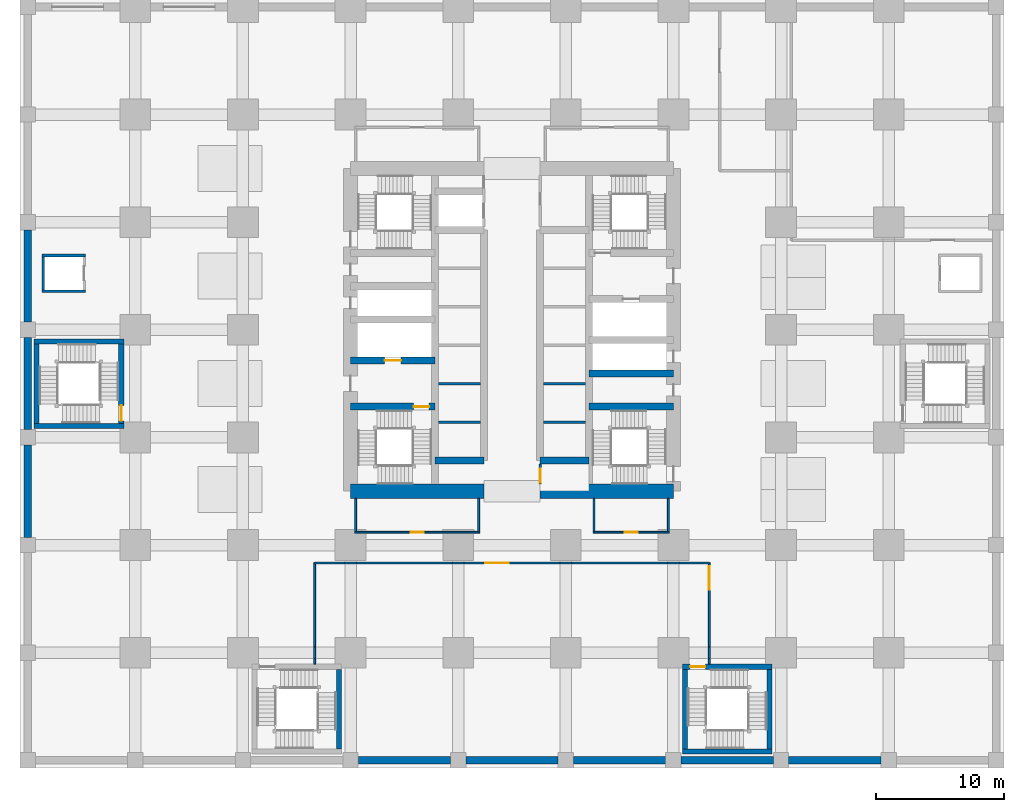
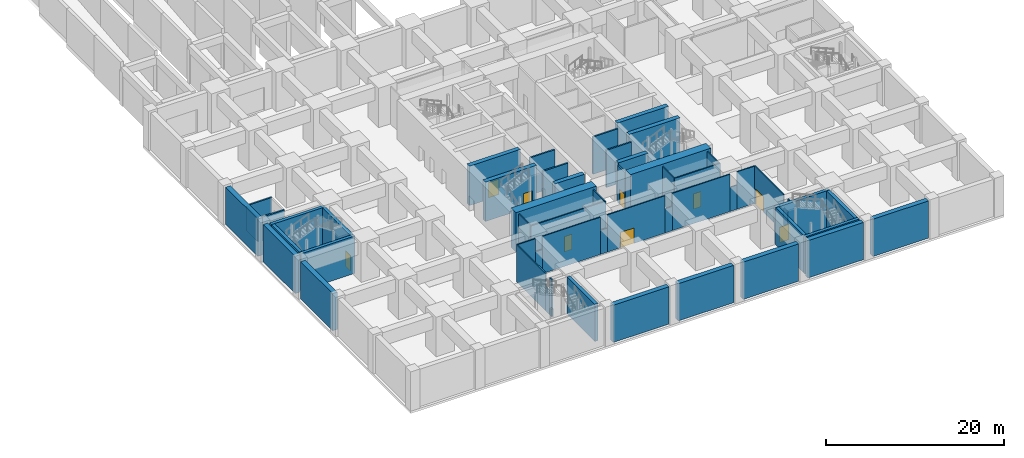
# One storey, part 6 of 20: 54 walls, 9 doors, 9 openings.
"""IFC4 building model written with IfcOpenShell, lengths in metres."""

from ifc_helpers import new_model, si_unit, direction, frame, frame_2d, origin, place, context, subcontext, project, spatial, rectangle, extrude, material, layer, layer_set, type_object, element, fill, save


model = new_model("IFC4")

# Units and contexts
model_context = context("Model", 3, precision=1e-05, world=origin(), true_north=direction((0.0, 1.0)))
body_context = subcontext(model_context, "Body", "Model", "MODEL_VIEW")
ifc_project = project(units=[si_unit("LENGTHUNIT", "METRE"), si_unit("AREAUNIT", "SQUARE_METRE"), si_unit("VOLUMEUNIT", "CUBIC_METRE"), si_unit("PLANEANGLEUNIT", "RADIAN"), si_unit("MASSUNIT", "GRAM", prefix="KILO")], contexts=[model_context])

# Site, building, storey
site_placement = place(None, origin())
site = spatial("IfcSite", under=ifc_project, at=site_placement, CompositionType="ELEMENT")
building_placement = place(site_placement, origin())
building = spatial("IfcBuilding", under=site, at=building_placement, Name="Rekha Terrace Tower", CompositionType="ELEMENT")
storey_placement = place(building_placement, frame((0.0, 0.0, -5.39990234375)))
storey = spatial("IfcBuildingStorey", under=building, at=storey_placement, Name="B-01", CompositionType="ELEMENT", Elevation=-5.39990234375)

# Walls
ifc_material_1 = material(Name="Concrete M70", Category="concrete")
ifc_layer_1 = layer(ifc_material_1, 0.550048828125)
ifc_layer_set_1 = layer_set([ifc_layer_1], Name="Concrete M70")
wall_type_1 = type_object("IfcWallType", Name="CI1 550 core internal shear wall", PredefinedType="SHEAR", material=ifc_layer_set_1)
for number, where, z_axis, x_axis, name in (
    (1, (31.800048828125, 23.39990234375, 0.0), (0.0, 0.0, 1.0), (1.0, 0.0, 0.0), "Core wall Y234W B-01"),
    (2, (40.0, 23.39990234375, 0.0), (0.0, 0.0, 1.0), (1.0, 0.0, 0.0), "Core wall Y234E B-01"),
):
    element("IfcWall", number, at=place(storey_placement, frame(where, z_axis=z_axis, x_axis=x_axis)), inside=storey, type_object=wall_type_1, Name=name, PredefinedType="SHEAR", context=body_context, shape_type="SweptSolid", body=[
        extrude(rectangle(XDim=3.800048828125, YDim=0.550048828125, at=frame_2d((1.89990234375, 0.0))), origin(), (0.0, 0.0, 1.0), 5.39990234375),
    ])

# Wall, opening, door
wall_1_placement = place(storey_placement, frame((25.199951171875, 27.60009765625, 0.0), z_axis=(0.0, 0.0, 1.0), x_axis=(1.0, 0.0, 0.0)))
wall_1 = element("IfcWall", 3, at=wall_1_placement, inside=storey, type_object=wall_type_1, Name="Core wall Y276W B-01", PredefinedType="SHEAR", context=body_context, shape_type="SweptSolid", body=[
    extrude(rectangle(XDim=6.60009765625, YDim=0.550048828125, at=frame_2d((3.300048828125, 0.0))), origin(), (0.0, 0.0, 1.0), 5.39990234375),
])
opening_1_placement = place(wall_1_placement, frame((4.925048828125, 0.0, 0.0)))
opening_1 = element("IfcOpeningElement", 4, at=opening_1_placement, cuts=wall_1, Name="Opening D1", PredefinedType="OPENING", context=body_context, shape_type="SweptSolid", body=[
    extrude(rectangle(XDim=1.199951171875, YDim=2.10009765625, at=frame_2d((0.60009765625, 1.050048828125))), frame((0.0, 0.284912109375, 0.0), z_axis=(0.0, -1.0, 0.0), x_axis=(1.0, 0.0, 0.0)), (0.0, 0.0, 1.0), 0.570068359375),
])
ifc_material_2 = material(Name="Steel fire door", Category="steel")
door_type_1 = type_object("IfcDoorType", Name="D1 1200x2100 stair fire door", OperationType="SINGLE_SWING_RIGHT", PredefinedType="DOOR", material=ifc_material_2)
door_1_placement = place(opening_1_placement, origin())
door_1 = element("IfcDoor", 5, at=door_1_placement, inside=storey, type_object=door_type_1, Name="Stair ST1 door B-01", OperationType="SINGLE_SWING_RIGHT", OverallHeight=2.10009765625, OverallWidth=1.199951171875, PredefinedType="DOOR", context=body_context, shape_type="SweptSolid", body=[
    extrude(rectangle(XDim=1.199951171875, YDim=2.10009765625, at=frame_2d((0.60009765625, 1.050048828125))), frame((0.0, 0.02490234375, 0.0), z_axis=(0.0, -1.0, 0.0), x_axis=(1.0, 0.0, 0.0)), (0.0, 0.0, 1.0), 0.050048828125),
])
fill(opening_1, door_1)

wall_2_placement = place(storey_placement, frame((25.199951171875, 31.199951171875, 0.0), z_axis=(0.0, 0.0, 1.0), x_axis=(1.0, 0.0, 0.0)))
wall_2 = element("IfcWall", 6, at=wall_2_placement, inside=storey, type_object=wall_type_1, Name="Core wall Y312W B-01", PredefinedType="SHEAR", context=body_context, shape_type="SweptSolid", body=[
    extrude(rectangle(XDim=6.60009765625, YDim=0.550048828125, at=frame_2d((3.300048828125, 0.0))), origin(), (0.0, 0.0, 1.0), 5.39990234375),
])
opening_2_placement = place(wall_2_placement, frame((2.64990234375, 0.0, 0.0)))
opening_2 = element("IfcOpeningElement", 7, at=opening_2_placement, cuts=wall_2, Name="Opening LD2", PredefinedType="OPENING", context=body_context, shape_type="SweptSolid", body=[
    extrude(rectangle(XDim=1.300048828125, YDim=2.10009765625, at=frame_2d((0.64990234375, 1.050048828125))), frame((0.0, 0.284912109375, 0.0), z_axis=(0.0, -1.0, 0.0), x_axis=(1.0, 0.0, 0.0)), (0.0, 0.0, 1.0), 0.570068359375),
])
ifc_material_3 = material(Name="Stainless steel sliding landing door", Category="steel")
door_type_2 = type_object("IfcDoorType", Name="LD2 1300x2100 fire lift landing door", OperationType="SLIDING_TO_LEFT", PredefinedType="USERDEFINED", material=ifc_material_3)
door_2_placement = place(opening_2_placement, origin())
door_2 = element("IfcDoor", 8, at=door_2_placement, inside=storey, type_object=door_type_2, Name="Lift FL1 landing door B-01", ObjectType="LIFT LANDING DOOR", OperationType="SLIDING_TO_LEFT", OverallHeight=2.10009765625, OverallWidth=1.300048828125, PredefinedType="USERDEFINED", context=body_context, shape_type="SweptSolid", body=[
    extrude(rectangle(XDim=1.300048828125, YDim=2.10009765625, at=frame_2d((0.64990234375, 1.050048828125))), frame((0.0, 0.02490234375, 0.0), z_axis=(0.0, -1.0, 0.0), x_axis=(1.0, 0.0, 0.0)), (0.0, 0.0, 1.0), 0.050048828125),
])
fill(opening_2, door_2)

# Walls
for number, where, z_axis, x_axis, name in (
    (9, (43.800048828125, 27.60009765625, 0.0), (0.0, 0.0, 1.0), (1.0, 0.0, 0.0), "Core wall Y276E B-01"),
    (10, (43.800048828125, 30.199951171875, 0.0), (0.0, 0.0, 1.0), (1.0, 0.0, 0.0), "Core wall Y302E B-01"),
):
    element("IfcWall", number, at=place(storey_placement, frame(where, z_axis=z_axis, x_axis=x_axis)), inside=storey, type_object=wall_type_1, Name=name, PredefinedType="SHEAR", context=body_context, shape_type="SweptSolid", body=[
        extrude(rectangle(XDim=6.599853515625, YDim=0.550048828125, at=frame_2d((3.2998046875, 0.0))), origin(), (0.0, 0.0, 1.0), 5.39990234375),
    ])
ifc_material_4 = material(Name="Concrete M40", Category="concrete")
ifc_layer_2 = layer(ifc_material_4, 0.60009765625)
ifc_layer_set_2 = layer_set([ifc_layer_2], Name="Concrete M40")
wall_type_2 = type_object("IfcWallType", Name="RW1 600 basement retaining wall", PredefinedType="SOLIDWALL", material=ifc_layer_set_2)
for number, where, z_axis, x_axis, name in (
    (11, (25.800048828125, 0.0, 0.0), (0.0, 0.0, 1.0), (1.0, 0.0, 0.0), "Basement retaining wall RW1 4A-5A B-01"),
    (12, (34.199951171875, 0.0, 0.0), (0.0, 0.0, 1.0), (1.0, 0.0, 0.0), "Basement retaining wall RW1 5A-6A B-01"),
    (13, (42.60009765625, 0.0, 0.0), (0.0, 0.0, 1.0), (1.0, 0.0, 0.0), "Basement retaining wall RW1 6A-7A B-01"),
    (14, (51.0, 0.0, 0.0), (0.0, 0.0, 1.0), (1.0, 0.0, 0.0), "Basement retaining wall RW1 7A-8A B-01"),
):
    element("IfcWall", number, at=place(storey_placement, frame(where, z_axis=z_axis, x_axis=x_axis)), inside=storey, type_object=wall_type_2, Name=name, PredefinedType="SOLIDWALL", context=body_context, shape_type="SweptSolid", body=[
        extrude(rectangle(XDim=7.199951171875, YDim=0.60009765625, at=frame_2d((3.60009765625, 0.0))), origin(), (0.0, 0.0, 1.0), 5.099853515625),
    ])
for number, where, z_axis, x_axis, name in (
    (15, (59.39990234375, 0.0, 0.0), (0.0, 0.0, 1.0), (1.0, 0.0, 0.0), "Basement retaining wall RW1 8A-9A B-01"),
    (16, (0.0, 17.39990234375, 0.0), (0.0, 0.0, 1.0), (0.0, 1.0, 0.0), "Basement retaining wall RW1 1C-1D B-01"),
):
    element("IfcWall", number, at=place(storey_placement, frame(where, z_axis=z_axis, x_axis=x_axis)), inside=storey, type_object=wall_type_2, Name=name, PredefinedType="SOLIDWALL", context=body_context, shape_type="SweptSolid", body=[
        extrude(rectangle(XDim=7.2001953125, YDim=0.60009765625, at=frame_2d((3.60009765625, 0.0))), origin(), (0.0, 0.0, 1.0), 5.099853515625),
    ])
for number, where, z_axis, x_axis, name in (
    (17, (0.0, 25.800048828125, 0.0), (0.0, 0.0, 1.0), (0.0, 1.0, 0.0), "Basement retaining wall RW1 1D-1E B-01"),
    (18, (0.0, 34.199951171875, 0.0), (0.0, 0.0, 1.0), (0.0, 1.0, 0.0), "Basement retaining wall RW1 1E-1F B-01"),
):
    element("IfcWall", number, at=place(storey_placement, frame(where, z_axis=z_axis, x_axis=x_axis)), inside=storey, type_object=wall_type_2, Name=name, PredefinedType="SOLIDWALL", context=body_context, shape_type="SweptSolid", body=[
        extrude(rectangle(XDim=7.199951171875, YDim=0.60009765625, at=frame_2d((3.60009765625, 0.0))), origin(), (0.0, 0.0, 1.0), 5.099853515625),
    ])
ifc_layer_3 = layer(ifc_material_1, 1.10009765625)
ifc_layer_set_3 = layer_set([ifc_layer_3], Name="Concrete M70")
wall_type_3 = type_object("IfcWallType", Name="SW1 1100 core outer shear wall", PredefinedType="SHEAR", material=ifc_layer_set_3)
wall_3_placement = place(storey_placement, frame((25.199951171875, 21.0, 0.0), z_axis=(0.0, 0.0, 1.0), x_axis=(1.0, 0.0, 0.0)))
element("IfcWall", 19, at=wall_3_placement, inside=storey, type_object=wall_type_3, Name="Core wall S1 B-01", PredefinedType="SHEAR", context=body_context, shape_type="SweptSolid", body=[
    extrude(rectangle(XDim=10.400146484375, YDim=1.10009765625, at=frame_2d((5.2001953125, 0.0))), origin(), (0.0, 0.0, 1.0), 5.39990234375),
])
wall_4_placement = place(storey_placement, frame((40.0, 21.0, 0.0), z_axis=(0.0, 0.0, 1.0), x_axis=(1.0, 0.0, 0.0)))
element("IfcWall", 20, at=wall_4_placement, inside=storey, type_object=wall_type_3, Name="Core wall S2 B-01", PredefinedType="SHEAR", context=body_context, shape_type="SweptSolid", body=[
    extrude(rectangle(XDim=10.39990234375, YDim=1.10009765625, at=frame_2d((5.199951171875, 0.0))), origin(), (0.0, 0.0, 1.0), 5.39990234375),
])

# Wall, opening, door
ifc_material_5 = material(Name="Concrete block masonry, 1 hour", Category="masonry")
ifc_layer_4 = layer(ifc_material_5, 0.14990234375)
ifc_layer_set_4 = layer_set([ifc_layer_4], Name="Concrete block masonry, 1 hour")
wall_type_4 = type_object("IfcWallType", Name="WP2 150 tenancy partition", PredefinedType="PARTITIONING", material=ifc_layer_set_4)
wall_5_placement = place(storey_placement, frame((25.52490234375, 17.800048828125, 0.0), z_axis=(0.0, 0.0, 1.0), x_axis=(1.0, 0.0, 0.0)))
wall_5 = element("IfcWall", 21, at=wall_5_placement, inside=storey, type_object=wall_type_4, Name="Men's WC wall B-01", PredefinedType="PARTITIONING", context=body_context, shape_type="SweptSolid", body=[
    extrude(rectangle(XDim=9.75, YDim=0.14990234375, at=frame_2d((4.875, 0.0))), origin(), (0.0, 0.0, 1.0), 5.099853515625),
])
opening_3_placement = place(wall_5_placement, frame((4.375, 0.0, 0.0)))
opening_3 = element("IfcOpeningElement", 22, at=opening_3_placement, cuts=wall_5, Name="Opening D3", PredefinedType="OPENING", context=body_context, shape_type="SweptSolid", body=[
    extrude(rectangle(XDim=1.0, YDim=2.10009765625, at=frame_2d((0.5, 1.050048828125))), frame((0.0, 0.0849609375, 0.0), z_axis=(0.0, -1.0, 0.0), x_axis=(1.0, 0.0, 0.0)), (0.0, 0.0, 1.0), 0.169921875),
])
ifc_material_6 = material(Name="Laminated timber fire door", Category="wood")
door_type_3 = type_object("IfcDoorType", Name="D3 1000x2100 WC door", OperationType="SINGLE_SWING_LEFT", PredefinedType="DOOR", material=ifc_material_6)
door_3_placement = place(opening_3_placement, origin())
door_3 = element("IfcDoor", 23, at=door_3_placement, inside=storey, type_object=door_type_3, Name="Door men's wc B-01", OperationType="SINGLE_SWING_LEFT", OverallHeight=2.10009765625, OverallWidth=1.0, PredefinedType="DOOR", context=body_context, shape_type="SweptSolid", body=[
    extrude(rectangle(XDim=1.0, YDim=2.10009765625, at=frame_2d((0.5, 1.050048828125))), frame((0.0, 0.02490234375, 0.0), z_axis=(0.0, -1.0, 0.0), x_axis=(1.0, 0.0, 0.0)), (0.0, 0.0, 1.0), 0.050048828125),
])
fill(opening_3, door_3)

# Walls
for number, where, z_axis, x_axis, name in (
    (24, (25.60009765625, 17.875, 0.0), (0.0, 0.0, 1.0), (0.0, 1.0, 0.0), "Men's WC wall B-01"),
    (25, (35.199951171875, 17.875, 0.0), (0.0, 0.0, 1.0), (0.0, 1.0, 0.0), "Men's WC wall B-01"),
):
    element("IfcWall", number, at=place(storey_placement, frame(where, z_axis=z_axis, x_axis=x_axis)), inside=storey, type_object=wall_type_4, Name=name, PredefinedType="PARTITIONING", context=body_context, shape_type="SweptSolid", body=[
        extrude(rectangle(XDim=2.574951171875, YDim=0.14990234375, at=frame_2d((1.28759765625, 0.0))), origin(), (0.0, 0.0, 1.0), 5.099853515625),
    ])

# Wall, opening, door
wall_6_placement = place(storey_placement, frame((44.125, 17.800048828125, 0.0), z_axis=(0.0, 0.0, 1.0), x_axis=(1.0, 0.0, 0.0)))
wall_6 = element("IfcWall", 26, at=wall_6_placement, inside=storey, type_object=wall_type_4, Name="Men's WC wall B-01", PredefinedType="PARTITIONING", context=body_context, shape_type="SweptSolid", body=[
    extrude(rectangle(XDim=5.949951171875, YDim=0.14990234375, at=frame_2d((2.97509765625, 0.0))), origin(), (0.0, 0.0, 1.0), 5.099853515625),
])
opening_4_placement = place(wall_6_placement, frame((2.47509765625, 0.0, 0.0)))
opening_4 = element("IfcOpeningElement", 27, at=opening_4_placement, cuts=wall_6, Name="Opening D3", PredefinedType="OPENING", context=body_context, shape_type="SweptSolid", body=[
    extrude(rectangle(XDim=1.0, YDim=2.10009765625, at=frame_2d((0.5, 1.050048828125))), frame((0.0, 0.0849609375, 0.0), z_axis=(0.0, -1.0, 0.0), x_axis=(1.0, 0.0, 0.0)), (0.0, 0.0, 1.0), 0.169921875),
])
door_4_placement = place(opening_4_placement, origin())
door_4 = element("IfcDoor", 28, at=door_4_placement, inside=storey, type_object=door_type_3, Name="Door men's wc B-01", OperationType="SINGLE_SWING_LEFT", OverallHeight=2.10009765625, OverallWidth=1.0, PredefinedType="DOOR", context=body_context, shape_type="SweptSolid", body=[
    extrude(rectangle(XDim=1.0, YDim=2.10009765625, at=frame_2d((0.5, 1.050048828125))), frame((0.0, 0.02490234375, 0.0), z_axis=(0.0, -1.0, 0.0), x_axis=(1.0, 0.0, 0.0)), (0.0, 0.0, 1.0), 0.050048828125),
])
fill(opening_4, door_4)

# Walls
for number, where, z_axis, x_axis, name in (
    (29, (44.199951171875, 17.875, 0.0), (0.0, 0.0, 1.0), (0.0, 1.0, 0.0), "Men's WC wall B-01"),
    (30, (50.0, 17.875, 0.0), (0.0, 0.0, 1.0), (0.0, 1.0, 0.0), "Men's WC wall B-01"),
):
    element("IfcWall", number, at=place(storey_placement, frame(where, z_axis=z_axis, x_axis=x_axis)), inside=storey, type_object=wall_type_4, Name=name, PredefinedType="PARTITIONING", context=body_context, shape_type="SweptSolid", body=[
        extrude(rectangle(XDim=2.574951171875, YDim=0.14990234375, at=frame_2d((1.28759765625, 0.0))), origin(), (0.0, 0.0, 1.0), 5.099853515625),
    ])
wall_7_placement = place(storey_placement, frame((22.39990234375, 7.5, 0.0), z_axis=(0.0, 0.0, 1.0), x_axis=(0.0, 1.0, 0.0)))
element("IfcWall", 31, at=wall_7_placement, inside=storey, type_object=wall_type_4, Name="Partition B-01-02", PredefinedType="PARTITIONING", context=body_context, shape_type="SweptSolid", body=[
    extrude(rectangle(XDim=0.43994140625, YDim=0.14990234375, at=frame_2d((0.219970703125, 0.0))), origin(), (0.0, 0.0, 1.0), 5.099853515625),
])
wall_8_placement = place(storey_placement, frame((22.39990234375, 7.93994140625, 0.0), z_axis=(0.0, 0.0, 1.0), x_axis=(0.0, 1.0, 0.0)))
element("IfcWall", 32, at=wall_8_placement, inside=storey, type_object=wall_type_4, Name="Partition B-01-02", PredefinedType="PARTITIONING", context=body_context, shape_type="SweptSolid", body=[
    extrude(rectangle(XDim=0.920166015625, YDim=0.14990234375, at=frame_2d((0.4599609375, 0.0))), origin(), (0.0, 0.0, 1.0), 3.2998046875),
])
wall_9_placement = place(storey_placement, frame((22.39990234375, 8.860107421875, 0.0), z_axis=(0.0, 0.0, 1.0), x_axis=(0.0, 1.0, 0.0)))
element("IfcWall", 33, at=wall_9_placement, inside=storey, type_object=wall_type_4, Name="Partition B-01-02", PredefinedType="PARTITIONING", context=body_context, shape_type="SweptSolid", body=[
    extrude(rectangle(XDim=6.539794921875, YDim=0.14990234375, at=frame_2d((3.27001953125, 0.0))), origin(), (0.0, 0.0, 1.0), 5.099853515625),
])
wall_10_placement = place(storey_placement, frame((22.39990234375, 15.39990234375, 0.0), z_axis=(0.0, 0.0, 1.0), x_axis=(1.0, 0.0, 0.0)))
element("IfcWall", 34, at=wall_10_placement, inside=storey, type_object=wall_type_4, Name="Partition B-01-02", PredefinedType="PARTITIONING", context=body_context, shape_type="SweptSolid", body=[
    extrude(rectangle(XDim=2.340087890625, YDim=0.14990234375, at=frame_2d((1.169921875, 0.0))), origin(), (0.0, 0.0, 1.0), 5.099853515625),
])
wall_11_placement = place(storey_placement, frame((24.739990234375, 15.39990234375, 0.0), z_axis=(0.0, 0.0, 1.0), x_axis=(1.0, 0.0, 0.0)))
element("IfcWall", 35, at=wall_11_placement, inside=storey, type_object=wall_type_4, Name="Partition B-01-02", PredefinedType="PARTITIONING", context=body_context, shape_type="SweptSolid", body=[
    extrude(rectangle(XDim=0.919921875, YDim=0.14990234375, at=frame_2d((0.4599609375, 0.0))), origin(), (0.0, 0.0, 1.0), 3.2998046875),
])
wall_12_placement = place(storey_placement, frame((25.659912109375, 15.39990234375, 0.0), z_axis=(0.0, 0.0, 1.0), x_axis=(1.0, 0.0, 0.0)))
element("IfcWall", 36, at=wall_12_placement, inside=storey, type_object=wall_type_4, Name="Partition B-01-02", PredefinedType="PARTITIONING", context=body_context, shape_type="SweptSolid", body=[
    extrude(rectangle(XDim=7.47998046875, YDim=0.14990234375, at=frame_2d((3.739990234375, 0.0))), origin(), (0.0, 0.0, 1.0), 5.099853515625),
])
wall_13_placement = place(storey_placement, frame((33.139892578125, 15.39990234375, 0.0), z_axis=(0.0, 0.0, 1.0), x_axis=(1.0, 0.0, 0.0)))
element("IfcWall", 37, at=wall_13_placement, inside=storey, type_object=wall_type_4, Name="Partition B-01-02", PredefinedType="PARTITIONING", context=body_context, shape_type="SweptSolid", body=[
    extrude(rectangle(XDim=0.920166015625, YDim=0.14990234375, at=frame_2d((0.4599609375, 0.0))), origin(), (0.0, 0.0, 1.0), 3.2998046875),
])

# Wall, opening, door
wall_14_placement = place(storey_placement, frame((34.06005859375, 15.39990234375, 0.0), z_axis=(0.0, 0.0, 1.0), x_axis=(1.0, 0.0, 0.0)))
wall_14 = element("IfcWall", 38, at=wall_14_placement, inside=storey, type_object=wall_type_4, Name="Partition B-01-02", PredefinedType="PARTITIONING", context=body_context, shape_type="SweptSolid", body=[
    extrude(rectangle(XDim=7.47998046875, YDim=0.14990234375, at=frame_2d((3.739990234375, 0.0))), origin(), (0.0, 0.0, 1.0), 5.099853515625),
])
opening_5_placement = place(wall_14_placement, frame((1.669921875, 0.0, 0.0)))
opening_5 = element("IfcOpeningElement", 39, at=opening_5_placement, cuts=wall_14, Name="Opening D8", PredefinedType="OPENING", context=body_context, shape_type="SweptSolid", body=[
    extrude(rectangle(XDim=1.800048828125, YDim=2.10009765625, at=frame_2d((0.89990234375, 1.050048828125))), frame((0.0, 0.0849609375, 0.0), z_axis=(0.0, -1.0, 0.0), x_axis=(1.0, 0.0, 0.0)), (0.0, 0.0, 1.0), 0.169921875),
])
ifc_material_7 = material(Name="Timber fire door", Category="wood")
door_type_4 = type_object("IfcDoorType", Name="D8 1800x2100 double leaf door", OperationType="DOUBLE_DOOR_SINGLE_SWING", PredefinedType="DOOR", material=ifc_material_7)
door_5_placement = place(opening_5_placement, origin())
door_5 = element("IfcDoor", 40, at=door_5_placement, inside=storey, type_object=door_type_4, Name="Door metro concourse link hall B-01", OperationType="DOUBLE_DOOR_SINGLE_SWING", OverallHeight=2.10009765625, OverallWidth=1.800048828125, PredefinedType="DOOR", context=body_context, shape_type="SweptSolid", body=[
    extrude(rectangle(XDim=1.800048828125, YDim=2.10009765625, at=frame_2d((0.89990234375, 1.050048828125))), frame((0.0, 0.02490234375, 0.0), z_axis=(0.0, -1.0, 0.0), x_axis=(1.0, 0.0, 0.0)), (0.0, 0.0, 1.0), 0.050048828125),
])
fill(opening_5, door_5)

# Walls
wall_15_placement = place(storey_placement, frame((41.5400390625, 15.39990234375, 0.0), z_axis=(0.0, 0.0, 1.0), x_axis=(1.0, 0.0, 0.0)))
element("IfcWall", 41, at=wall_15_placement, inside=storey, type_object=wall_type_4, Name="Partition B-01-02", PredefinedType="PARTITIONING", context=body_context, shape_type="SweptSolid", body=[
    extrude(rectangle(XDim=0.919921875, YDim=0.14990234375, at=frame_2d((0.4599609375, 0.0))), origin(), (0.0, 0.0, 1.0), 3.2998046875),
])
wall_16_placement = place(storey_placement, frame((42.4599609375, 15.39990234375, 0.0), z_axis=(0.0, 0.0, 1.0), x_axis=(1.0, 0.0, 0.0)))
element("IfcWall", 42, at=wall_16_placement, inside=storey, type_object=wall_type_4, Name="Partition B-01-02", PredefinedType="PARTITIONING", context=body_context, shape_type="SweptSolid", body=[
    extrude(rectangle(XDim=7.47998046875, YDim=0.14990234375, at=frame_2d((3.739990234375, 0.0))), origin(), (0.0, 0.0, 1.0), 5.099853515625),
])
wall_17_placement = place(storey_placement, frame((49.93994140625, 15.39990234375, 0.0), z_axis=(0.0, 0.0, 1.0), x_axis=(1.0, 0.0, 0.0)))
element("IfcWall", 43, at=wall_17_placement, inside=storey, type_object=wall_type_4, Name="Partition B-01-02", PredefinedType="PARTITIONING", context=body_context, shape_type="SweptSolid", body=[
    extrude(rectangle(XDim=0.920166015625, YDim=0.14990234375, at=frame_2d((0.4599609375, 0.0))), origin(), (0.0, 0.0, 1.0), 3.2998046875),
])
wall_18_placement = place(storey_placement, frame((50.860107421875, 15.39990234375, 0.0), z_axis=(0.0, 0.0, 1.0), x_axis=(1.0, 0.0, 0.0)))
element("IfcWall", 44, at=wall_18_placement, inside=storey, type_object=wall_type_4, Name="Partition B-01-02", PredefinedType="PARTITIONING", context=body_context, shape_type="SweptSolid", body=[
    extrude(rectangle(XDim=2.33984375, YDim=0.14990234375, at=frame_2d((1.169921875, 0.0))), origin(), (0.0, 0.0, 1.0), 5.099853515625),
])

# Wall, opening, door
wall_19_placement = place(storey_placement, frame((53.199951171875, 15.39990234375, 0.0), z_axis=(0.0, 0.0, 1.0), x_axis=(0.0, -1.0, 0.0)))
wall_19 = element("IfcWall", 45, at=wall_19_placement, inside=storey, type_object=wall_type_4, Name="Partition B-01-02", PredefinedType="PARTITIONING", context=body_context, shape_type="SweptSolid", body=[
    extrude(rectangle(XDim=6.539794921875, YDim=0.14990234375, at=frame_2d((3.27001953125, 0.0))), origin(), (0.0, 0.0, 1.0), 5.099853515625),
])
opening_6_placement = place(wall_19_placement, frame((0.27001953125, 0.0, 0.0)))
opening_6 = element("IfcOpeningElement", 46, at=opening_6_placement, cuts=wall_19, Name="Opening D8", PredefinedType="OPENING", context=body_context, shape_type="SweptSolid", body=[
    extrude(rectangle(XDim=1.800048828125, YDim=2.10009765625, at=frame_2d((0.89990234375, 1.050048828125))), frame((0.0, 0.0849609375, 0.0), z_axis=(0.0, -1.0, 0.0), x_axis=(1.0, 0.0, 0.0)), (0.0, 0.0, 1.0), 0.169921875),
])
door_6_placement = place(opening_6_placement, origin())
door_6 = element("IfcDoor", 47, at=door_6_placement, inside=storey, type_object=door_type_4, Name="Door metro concourse link hall B-01", OperationType="DOUBLE_DOOR_SINGLE_SWING", OverallHeight=2.10009765625, OverallWidth=1.800048828125, PredefinedType="DOOR", context=body_context, shape_type="SweptSolid", body=[
    extrude(rectangle(XDim=1.800048828125, YDim=2.10009765625, at=frame_2d((0.89990234375, 1.050048828125))), frame((0.0, 0.02490234375, 0.0), z_axis=(0.0, -1.0, 0.0), x_axis=(1.0, 0.0, 0.0)), (0.0, 0.0, 1.0), 0.050048828125),
])
fill(opening_6, door_6)

# Walls
wall_20_placement = place(storey_placement, frame((53.199951171875, 8.860107421875, 0.0), z_axis=(0.0, 0.0, 1.0), x_axis=(0.0, -1.0, 0.0)))
element("IfcWall", 48, at=wall_20_placement, inside=storey, type_object=wall_type_4, Name="Partition B-01-02", PredefinedType="PARTITIONING", context=body_context, shape_type="SweptSolid", body=[
    extrude(rectangle(XDim=0.920166015625, YDim=0.14990234375, at=frame_2d((0.4599609375, 0.0))), origin(), (0.0, 0.0, 1.0), 3.2998046875),
])
wall_21_placement = place(storey_placement, frame((53.199951171875, 7.93994140625, 0.0), z_axis=(0.0, 0.0, 1.0), x_axis=(0.0, -1.0, 0.0)))
element("IfcWall", 49, at=wall_21_placement, inside=storey, type_object=wall_type_4, Name="Partition B-01-02", PredefinedType="PARTITIONING", context=body_context, shape_type="SweptSolid", body=[
    extrude(rectangle(XDim=0.43994140625, YDim=0.14990234375, at=frame_2d((0.219970703125, 0.0))), origin(), (0.0, 0.0, 1.0), 5.099853515625),
])
ifc_material_8 = material(Name="Solid concrete block masonry, 2 hour", Category="masonry")
ifc_layer_5 = layer(ifc_material_8, 0.199951171875)
ifc_layer_set_5 = layer_set([ifc_layer_5], Name="Solid concrete block masonry, 2 hour")
wall_type_5 = type_object("IfcWallType", Name="WS1 200 stair and shaft enclosure", PredefinedType="PARTITIONING", material=ifc_layer_set_5)
for number, where, z_axis, x_axis, name in (
    (50, (1.10009765625, 36.60009765625, 0.0), (0.0, 0.0, 1.0), (1.0, 0.0, 0.0), "Lift PL1 shaft south wall"),
    (51, (1.10009765625, 39.39990234375, 0.0), (0.0, 0.0, 1.0), (1.0, 0.0, 0.0), "Lift PL1 shaft north wall"),
):
    element("IfcWall", number, at=place(storey_placement, frame(where, z_axis=z_axis, x_axis=x_axis)), inside=storey, type_object=wall_type_5, Name=name, PredefinedType="PARTITIONING", context=body_context, shape_type="SweptSolid", body=[
        extrude(rectangle(XDim=3.39990234375, YDim=0.199951171875, at=frame_2d((1.699951171875, 0.0))), origin(), (0.0, 0.0, 1.0), 3.2998046875),
    ])
wall_22_placement = place(storey_placement, frame((1.199951171875, 36.699951171875, 0.0), z_axis=(0.0, 0.0, 1.0), x_axis=(0.0, 1.0, 0.0)))
element("IfcWall", 52, at=wall_22_placement, inside=storey, type_object=wall_type_5, Name="Lift PL1 shaft west wall", PredefinedType="PARTITIONING", context=body_context, shape_type="SweptSolid", body=[
    extrude(rectangle(XDim=2.60009765625, YDim=0.199951171875, at=frame_2d((1.300048828125, 0.0))), origin(), (0.0, 0.0, 1.0), 3.2998046875),
])
for number, where, z_axis, x_axis, name in (
    (53, (32.074951171875, 26.39990234375, 0.0), (0.0, 0.0, 1.0), (1.0, 0.0, 0.0), "Lift shaft divider B-01"),
    (54, (32.074951171875, 29.39990234375, 0.0), (0.0, 0.0, 1.0), (1.0, 0.0, 0.0), "Lift shaft divider B-01"),
    (55, (40.27490234375, 26.39990234375, 0.0), (0.0, 0.0, 1.0), (1.0, 0.0, 0.0), "Lift shaft divider B-01"),
    (56, (40.27490234375, 29.39990234375, 0.0), (0.0, 0.0, 1.0), (1.0, 0.0, 0.0), "Lift shaft divider B-01"),
):
    element("IfcWall", number, at=place(storey_placement, frame(where, z_axis=z_axis, x_axis=x_axis)), inside=storey, type_object=wall_type_5, Name=name, PredefinedType="PARTITIONING", context=body_context, shape_type="SweptSolid", body=[
        extrude(rectangle(XDim=3.25, YDim=0.199951171875, at=frame_2d((1.625, 0.0))), origin(), (0.0, 0.0, 1.0), 5.099853515625),
    ])

# Wall, opening, door
wall_23_placement = place(storey_placement, frame((40.0, 21.550048828125, 0.0), z_axis=(0.0, 0.0, 1.0), x_axis=(0.0, 1.0, 0.0)))
wall_23 = element("IfcWall", 57, at=wall_23_placement, inside=storey, type_object=wall_type_5, Name="Core partition wca B-01", PredefinedType="PARTITIONING", context=body_context, shape_type="SweptSolid", body=[
    extrude(rectangle(XDim=1.574951171875, YDim=0.199951171875, at=frame_2d((0.78759765625, 0.0))), origin(), (0.0, 0.0, 1.0), 5.099853515625),
])
opening_7_placement = place(wall_23_placement, frame((0.10009765625, 0.0, 0.0)))
opening_7 = element("IfcOpeningElement", 58, at=opening_7_placement, cuts=wall_23, Name="Opening D4", PredefinedType="OPENING", context=body_context, shape_type="SweptSolid", body=[
    extrude(rectangle(XDim=1.10009765625, YDim=2.10009765625, at=frame_2d((0.550048828125, 1.050048828125))), frame((0.0, 0.10986328125, 0.0), z_axis=(0.0, -1.0, 0.0), x_axis=(1.0, 0.0, 0.0)), (0.0, 0.0, 1.0), 0.219970703125),
])
door_type_5 = type_object("IfcDoorType", Name="D4 1100x2100 accessible WC door", OperationType="SLIDING_TO_LEFT", PredefinedType="DOOR", material=ifc_material_6)
door_7_placement = place(opening_7_placement, origin())
door_7 = element("IfcDoor", 59, at=door_7_placement, inside=storey, type_object=door_type_5, Name="Door wca B-01", OperationType="SLIDING_TO_LEFT", OverallHeight=2.10009765625, OverallWidth=1.10009765625, PredefinedType="DOOR", context=body_context, shape_type="SweptSolid", body=[
    extrude(rectangle(XDim=1.10009765625, YDim=2.10009765625, at=frame_2d((0.550048828125, 1.050048828125))), frame((0.0, 0.02490234375, 0.0), z_axis=(0.0, -1.0, 0.0), x_axis=(1.0, 0.0, 0.0)), (0.0, 0.0, 1.0), 0.050048828125),
])
fill(opening_7, door_7)

# Walls
ifc_material_9 = material(Name="Concrete M60", Category="concrete")
ifc_layer_6 = layer(ifc_material_9, 0.39990234375)
ifc_layer_set_6 = layer_set([ifc_layer_6], Name="Concrete M60")
wall_type_6 = type_object("IfcWallType", Name="WS3 400 RC podium stair wall", PredefinedType="SOLIDWALL", material=ifc_layer_set_6)
for number, where, z_axis, x_axis, name in (
    (60, (0.5, 26.10009765625, 0.0), (0.0, 0.0, 1.0), (1.0, 0.0, 0.0), "Stair SP1 south wall"),
    (61, (0.5, 32.699951171875, 0.0), (0.0, 0.0, 1.0), (1.0, 0.0, 0.0), "Stair SP1 north wall"),
):
    element("IfcWall", number, at=place(storey_placement, frame(where, z_axis=z_axis, x_axis=x_axis)), inside=storey, type_object=wall_type_6, Name=name, PredefinedType="SOLIDWALL", context=body_context, shape_type="SweptSolid", body=[
        extrude(rectangle(XDim=7.0, YDim=0.39990234375, at=frame_2d((3.5, 0.0))), origin(), (0.0, 0.0, 1.0), 5.099853515625),
    ])
wall_24_placement = place(storey_placement, frame((0.699951171875, 26.300048828125, 0.0), z_axis=(0.0, 0.0, 1.0), x_axis=(0.0, 1.0, 0.0)))
element("IfcWall", 62, at=wall_24_placement, inside=storey, type_object=wall_type_6, Name="Stair SP1 west wall", PredefinedType="SOLIDWALL", context=body_context, shape_type="SweptSolid", body=[
    extrude(rectangle(XDim=6.199951171875, YDim=0.39990234375, at=frame_2d((3.10009765625, 0.0))), origin(), (0.0, 0.0, 1.0), 5.099853515625),
])

# Wall, opening, door
wall_25_placement = place(storey_placement, frame((7.300048828125, 26.300048828125, 0.0), z_axis=(0.0, 0.0, 1.0), x_axis=(0.0, 1.0, 0.0)))
wall_25 = element("IfcWall", 63, at=wall_25_placement, inside=storey, type_object=wall_type_6, Name="Stair SP1 east wall", PredefinedType="SOLIDWALL", context=body_context, shape_type="SweptSolid", body=[
    extrude(rectangle(XDim=6.199951171875, YDim=0.39990234375, at=frame_2d((3.10009765625, 0.0))), origin(), (0.0, 0.0, 1.0), 5.099853515625),
])
opening_8_placement = place(wall_25_placement, frame((0.199951171875, 0.0, 0.0)))
opening_8 = element("IfcOpeningElement", 64, at=opening_8_placement, cuts=wall_25, Name="Opening D1", PredefinedType="OPENING", context=body_context, shape_type="SweptSolid", body=[
    extrude(rectangle(XDim=1.199951171875, YDim=2.10009765625, at=frame_2d((0.60009765625, 1.050048828125))), frame((0.0, 0.2099609375, 0.0), z_axis=(0.0, -1.0, 0.0), x_axis=(1.0, 0.0, 0.0)), (0.0, 0.0, 1.0), 0.419921875),
])
door_8_placement = place(opening_8_placement, origin())
door_8 = element("IfcDoor", 65, at=door_8_placement, inside=storey, type_object=door_type_1, Name="Stair SP1 door B-01", OperationType="SINGLE_SWING_RIGHT", OverallHeight=2.10009765625, OverallWidth=1.199951171875, PredefinedType="DOOR", context=body_context, shape_type="SweptSolid", body=[
    extrude(rectangle(XDim=1.199951171875, YDim=2.10009765625, at=frame_2d((0.60009765625, 1.050048828125))), frame((0.0, 0.02490234375, 0.0), z_axis=(0.0, -1.0, 0.0), x_axis=(1.0, 0.0, 0.0)), (0.0, 0.0, 1.0), 0.050048828125),
])
fill(opening_8, door_8)

# Walls
wall_26_placement = place(storey_placement, frame((24.300048828125, 0.89990234375, 0.0), z_axis=(0.0, 0.0, 1.0), x_axis=(0.0, 1.0, 0.0)))
element("IfcWall", 66, at=wall_26_placement, inside=storey, type_object=wall_type_6, Name="Stair SP3 east wall", PredefinedType="SOLIDWALL", context=body_context, shape_type="SweptSolid", body=[
    extrude(rectangle(XDim=6.2001953125, YDim=0.39990234375, at=frame_2d((3.10009765625, 0.0))), origin(), (0.0, 0.0, 1.0), 5.099853515625),
])
wall_27_placement = place(storey_placement, frame((51.10009765625, 0.699951171875, 0.0), z_axis=(0.0, 0.0, 1.0), x_axis=(1.0, 0.0, 0.0)))
element("IfcWall", 67, at=wall_27_placement, inside=storey, type_object=wall_type_6, Name="Stair SP4 south wall", PredefinedType="SOLIDWALL", context=body_context, shape_type="SweptSolid", body=[
    extrude(rectangle(XDim=7.0, YDim=0.39990234375, at=frame_2d((3.5, 0.0))), origin(), (0.0, 0.0, 1.0), 5.099853515625),
])

# Wall, opening, door
wall_28_placement = place(storey_placement, frame((51.10009765625, 7.300048828125, 0.0), z_axis=(0.0, 0.0, 1.0), x_axis=(1.0, 0.0, 0.0)))
wall_28 = element("IfcWall", 68, at=wall_28_placement, inside=storey, type_object=wall_type_6, Name="Stair SP4 north wall", PredefinedType="SOLIDWALL", context=body_context, shape_type="SweptSolid", body=[
    extrude(rectangle(XDim=7.0, YDim=0.39990234375, at=frame_2d((3.5, 0.0))), origin(), (0.0, 0.0, 1.0), 5.099853515625),
])
opening_9_placement = place(wall_28_placement, frame((0.60009765625, 0.0, 0.0)))
opening_9 = element("IfcOpeningElement", 69, at=opening_9_placement, cuts=wall_28, Name="Opening D1", PredefinedType="OPENING", context=body_context, shape_type="SweptSolid", body=[
    extrude(rectangle(XDim=1.199951171875, YDim=2.10009765625, at=frame_2d((0.60009765625, 1.050048828125))), frame((0.0, 0.2099609375, 0.0), z_axis=(0.0, -1.0, 0.0), x_axis=(1.0, 0.0, 0.0)), (0.0, 0.0, 1.0), 0.419921875),
])
door_9_placement = place(opening_9_placement, origin())
door_9 = element("IfcDoor", 70, at=door_9_placement, inside=storey, type_object=door_type_1, Name="Stair SP4 door B-01", OperationType="SINGLE_SWING_RIGHT", OverallHeight=2.10009765625, OverallWidth=1.199951171875, PredefinedType="DOOR", context=body_context, shape_type="SweptSolid", body=[
    extrude(rectangle(XDim=1.199951171875, YDim=2.10009765625, at=frame_2d((0.60009765625, 1.050048828125))), frame((0.0, 0.02490234375, 0.0), z_axis=(0.0, -1.0, 0.0), x_axis=(1.0, 0.0, 0.0)), (0.0, 0.0, 1.0), 0.050048828125),
])
fill(opening_9, door_9)

# Walls
for number, where, z_axis, x_axis, name in (
    (71, (51.300048828125, 0.89990234375, 0.0), (0.0, 0.0, 1.0), (0.0, 1.0, 0.0), "Stair SP4 west wall"),
    (72, (57.89990234375, 0.89990234375, 0.0), (0.0, 0.0, 1.0), (0.0, 1.0, 0.0), "Stair SP4 east wall"),
):
    element("IfcWall", number, at=place(storey_placement, frame(where, z_axis=z_axis, x_axis=x_axis)), inside=storey, type_object=wall_type_6, Name=name, PredefinedType="SOLIDWALL", context=body_context, shape_type="SweptSolid", body=[
        extrude(rectangle(XDim=6.2001953125, YDim=0.39990234375, at=frame_2d((3.10009765625, 0.0))), origin(), (0.0, 0.0, 1.0), 5.099853515625),
    ])

save(model, "model.ifc")
